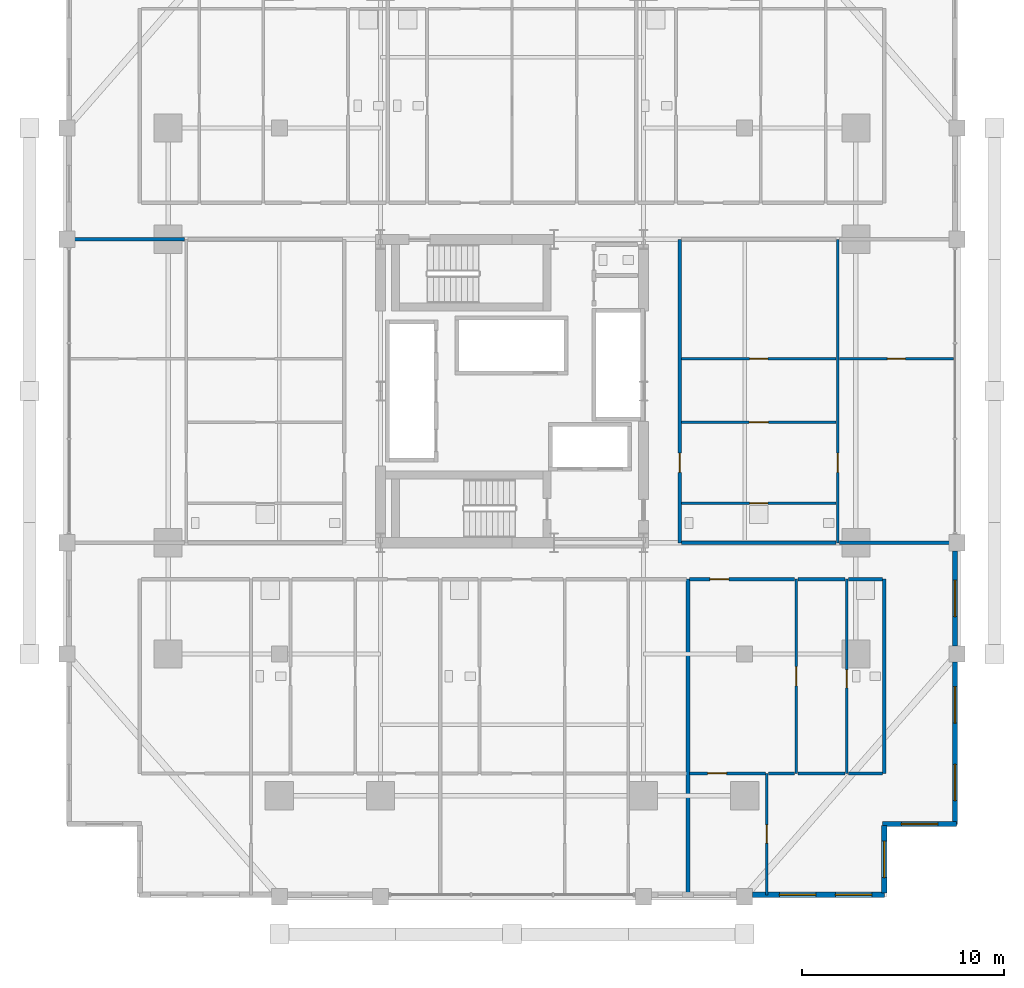
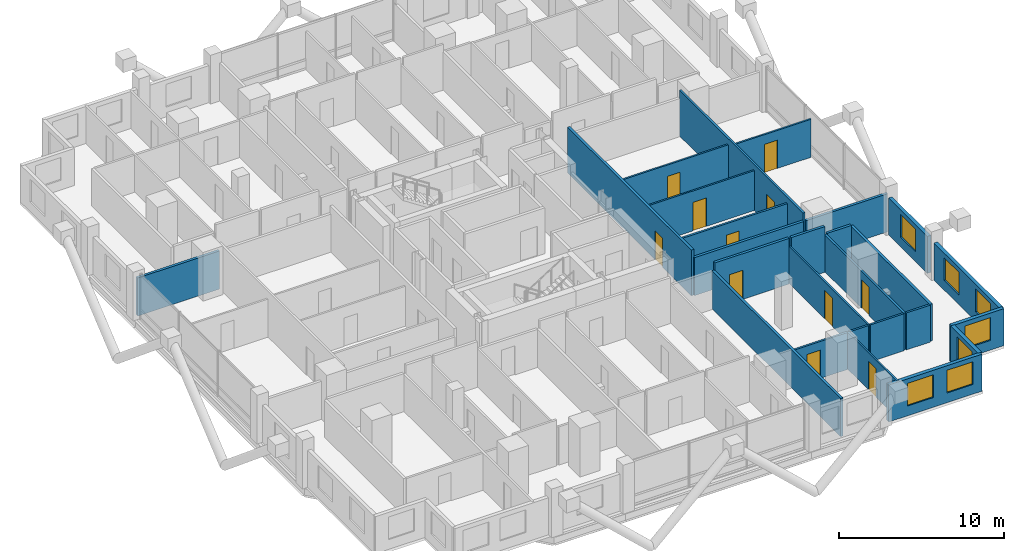
# One storey, part 19 of 24: 26 walls, 11 doors, 7 windows, 18 openings.
"""IFC4 building model written with IfcOpenShell, lengths in metres."""

from ifc_helpers import new_model, si_unit, direction, frame, frame_2d, origin, place, context, subcontext, project, spatial, rectangle, extrude, material, layer, layer_set, type_object, element, fill, save


model = new_model("IFC4")

# Units and contexts
model_context = context("Model", 3, precision=1e-05, world=origin(), true_north=direction((0.0, 1.0)))
body_context = subcontext(model_context, "Body", "Model", "MODEL_VIEW")
ifc_project = project(units=[si_unit("LENGTHUNIT", "METRE"), si_unit("AREAUNIT", "SQUARE_METRE"), si_unit("VOLUMEUNIT", "CUBIC_METRE"), si_unit("PLANEANGLEUNIT", "RADIAN"), si_unit("MASSUNIT", "GRAM", prefix="KILO")], contexts=[model_context])

# Site, building, storey
site_placement = place(None, origin())
site = spatial("IfcSite", under=ifc_project, at=site_placement, CompositionType="ELEMENT")
building_placement = place(site_placement, origin())
building = spatial("IfcBuilding", under=site, at=building_placement, Name="Barlavira Tower and Art Museum", CompositionType="ELEMENT")
storey_placement = place(building_placement, frame((0.0, 0.0, 46.800048828125)))
storey = spatial("IfcBuildingStorey", under=building, at=storey_placement, Name="L10", CompositionType="ELEMENT", Elevation=46.800048828125)

# Wall, opening, door
ifc_material_1 = material(Name="Gypsum acoustic stud partition", Category="gypsum")
ifc_layer_1 = layer(ifc_material_1, 0.1201171875, Name="Gypsum acoustic stud partition")
ifc_layer_set_1 = layer_set([ifc_layer_1], Name="Gypsum acoustic stud partition")
wall_type_1 = type_object("IfcWallType", Name="Apartment Internal Acoustic Partition 120", PredefinedType="PARTITIONING", material=ifc_layer_set_1)
wall_1_placement = place(storey_placement, frame((12.60009765625, -24.89990234375, 0.0), z_axis=(0.0, 0.0, 1.0), x_axis=(0.0, 1.0, 0.0)))
wall_1 = element("IfcWall", 1, at=wall_1_placement, inside=storey, type_object=wall_type_1, Name="L10 Partition Wall 25", PredefinedType="PARTITIONING", context=body_context, shape_type="SweptSolid", body=[
    extrude(rectangle(XDim=6.0, YDim=0.1201171875, at=frame_2d((3.0, 0.0))), origin(), (0.0, 0.0, 1.0), 2.73583984375),
])
opening_1_placement = place(wall_1_placement, frame((2.550048828125, 0.0, 0.0)))
opening_1 = element("IfcOpeningElement", 2, at=opening_1_placement, cuts=wall_1, Name="Opening D-01", PredefinedType="OPENING", context=body_context, shape_type="SweptSolid", body=[
    extrude(rectangle(XDim=0.89990234375, YDim=2.10009765625, at=frame_2d((0.449951171875, 1.050048828125))), frame((0.0, 0.070068359375, 0.0), z_axis=(0.0, -1.0, 0.0), x_axis=(1.0, 0.0, 0.0)), (0.0, 0.0, 1.0), 0.14013671875),
])
ifc_material_2 = material(Name="Engineered coastal hardwood", Category="wood")
door_type_1 = type_object("IfcDoorType", Name="Internal Bedroom Timber Flush Door 900x2100", OperationType="NOTDEFINED", PredefinedType="DOOR", material=ifc_material_2)
door_1_placement = place(opening_1_placement, origin())
door_1 = element("IfcDoor", 3, at=door_1_placement, inside=storey, type_object=door_type_1, Name="Apartment S3 Bedroom 1 Door", OperationType="SINGLE_SWING_LEFT", OverallHeight=2.10009765625, OverallWidth=0.89990234375, PredefinedType="DOOR", context=body_context, shape_type="SweptSolid", body=[
    extrude(rectangle(XDim=0.89990234375, YDim=2.10009765625, at=frame_2d((0.449951171875, 1.050048828125))), frame((0.0, 0.02490234375, 0.0), z_axis=(0.0, -1.0, 0.0), x_axis=(1.0, 0.0, 0.0)), (0.0, 0.0, 1.0), 0.050048828125),
])
fill(opening_1, door_1)

wall_2_placement = place(storey_placement, frame((14.050048828125, -18.89990234375, 0.0), z_axis=(0.0, 0.0, 1.0), x_axis=(0.0, 1.0, 0.0)))
wall_2 = element("IfcWall", 4, at=wall_2_placement, inside=storey, type_object=wall_type_1, Name="L10 Partition Wall 26", PredefinedType="PARTITIONING", context=body_context, shape_type="SweptSolid", body=[
    extrude(rectangle(XDim=9.599853515625, YDim=0.1201171875, at=frame_2d((4.7998046875, 0.0))), origin(), (0.0, 0.0, 1.0), 2.73583984375),
])
opening_2_placement = place(wall_2_placement, frame((4.324951171875, 0.0, 0.0)))
opening_2 = element("IfcOpeningElement", 5, at=opening_2_placement, cuts=wall_2, Name="Opening D-02", PredefinedType="OPENING", context=body_context, shape_type="SweptSolid", body=[
    extrude(rectangle(XDim=0.949951171875, YDim=2.10009765625, at=frame_2d((0.47509765625, 1.050048828125))), frame((0.0, 0.070068359375, 0.0), z_axis=(0.0, -1.0, 0.0), x_axis=(1.0, 0.0, 0.0)), (0.0, 0.0, 1.0), 0.14013671875),
])
door_type_2 = type_object("IfcDoorType", Name="Living and Salon Glazed-Leaf Door 950x2100", OperationType="NOTDEFINED", PredefinedType="DOOR", material=ifc_material_2)
door_2_placement = place(opening_2_placement, origin())
door_2 = element("IfcDoor", 6, at=door_2_placement, inside=storey, type_object=door_type_2, Name="Apartment S3 Kitchen Door", OperationType="SINGLE_SWING_RIGHT", OverallHeight=2.10009765625, OverallWidth=0.949951171875, PredefinedType="DOOR", context=body_context, shape_type="SweptSolid", body=[
    extrude(rectangle(XDim=0.949951171875, YDim=2.10009765625, at=frame_2d((0.47509765625, 1.050048828125))), frame((0.0, 0.02490234375, 0.0), z_axis=(0.0, -1.0, 0.0), x_axis=(1.0, 0.0, 0.0)), (0.0, 0.0, 1.0), 0.050048828125),
])
fill(opening_2, door_2)

wall_3_placement = place(storey_placement, frame((8.3798828125, -1.550048828125, 0.0), z_axis=(0.0, 0.0, 1.0), x_axis=(1.0, 0.0, 0.0)))
wall_3 = element("IfcWall", 7, at=wall_3_placement, inside=storey, type_object=wall_type_1, Name="L10 Partition Wall 62", PredefinedType="PARTITIONING", context=body_context, shape_type="SweptSolid", body=[
    extrude(rectangle(XDim=7.64013671875, YDim=0.1201171875, at=frame_2d((3.820068359375, 0.0))), origin(), (0.0, 0.0, 1.0), 2.947998046875),
])
opening_3_placement = place(wall_3_placement, frame((3.344970703125, 0.0, 0.0)))
opening_3 = element("IfcOpeningElement", 8, at=opening_3_placement, cuts=wall_3, Name="Opening D-02", PredefinedType="OPENING", context=body_context, shape_type="SweptSolid", body=[
    extrude(rectangle(XDim=0.949951171875, YDim=2.10009765625, at=frame_2d((0.47509765625, 1.050048828125))), frame((0.0, 0.070068359375, 0.0), z_axis=(0.0, -1.0, 0.0), x_axis=(1.0, 0.0, 0.0)), (0.0, 0.0, 1.0), 0.14013671875),
])
door_3_placement = place(opening_3_placement, origin())
door_3 = element("IfcDoor", 9, at=door_3_placement, inside=storey, type_object=door_type_2, Name="Apartment E1 Kitchen Door", OperationType="SINGLE_SWING_LEFT", OverallHeight=2.10009765625, OverallWidth=0.949951171875, PredefinedType="DOOR", context=body_context, shape_type="SweptSolid", body=[
    extrude(rectangle(XDim=0.949951171875, YDim=2.10009765625, at=frame_2d((0.47509765625, 1.050048828125))), frame((0.0, 0.02490234375, 0.0), z_axis=(0.0, -1.0, 0.0), x_axis=(1.0, 0.0, 0.0)), (0.0, 0.0, 1.0), 0.050048828125),
])
fill(opening_3, door_3)

wall_4_placement = place(storey_placement, frame((8.3798828125, 1.60009765625, 0.0), z_axis=(0.0, 0.0, 1.0), x_axis=(1.0, 0.0, 0.0)))
wall_4 = element("IfcWall", 10, at=wall_4_placement, inside=storey, type_object=wall_type_1, Name="L10 Partition Wall 65", PredefinedType="PARTITIONING", context=body_context, shape_type="SweptSolid", body=[
    extrude(rectangle(XDim=7.64013671875, YDim=0.1201171875, at=frame_2d((3.820068359375, 0.0))), origin(), (0.0, 0.0, 1.0), 2.947998046875),
])
opening_4_placement = place(wall_4_placement, frame((3.3701171875, 0.0, 0.0)))
opening_4 = element("IfcOpeningElement", 11, at=opening_4_placement, cuts=wall_4, Name="Opening D-01", PredefinedType="OPENING", context=body_context, shape_type="SweptSolid", body=[
    extrude(rectangle(XDim=0.89990234375, YDim=2.10009765625, at=frame_2d((0.449951171875, 1.050048828125))), frame((0.0, 0.070068359375, 0.0), z_axis=(0.0, -1.0, 0.0), x_axis=(1.0, 0.0, 0.0)), (0.0, 0.0, 1.0), 0.14013671875),
])
door_4_placement = place(opening_4_placement, origin())
door_4 = element("IfcDoor", 12, at=door_4_placement, inside=storey, type_object=door_type_1, Name="Apartment E1 Walk-In Dressing Room Door", OperationType="SINGLE_SWING_RIGHT", OverallHeight=2.10009765625, OverallWidth=0.89990234375, PredefinedType="DOOR", context=body_context, shape_type="SweptSolid", body=[
    extrude(rectangle(XDim=0.89990234375, YDim=2.10009765625, at=frame_2d((0.449951171875, 1.050048828125))), frame((0.0, 0.02490234375, 0.0), z_axis=(0.0, -1.0, 0.0), x_axis=(1.0, 0.0, 0.0)), (0.0, 0.0, 1.0), 0.050048828125),
])
fill(opening_4, door_4)

wall_5_placement = place(storey_placement, frame((16.179931640625, 1.60009765625, 0.0), z_axis=(0.0, 0.0, 1.0), x_axis=(1.0, 0.0, 0.0)))
wall_5 = element("IfcWall", 13, at=wall_5_placement, inside=storey, type_object=wall_type_1, Name="L10 Partition Wall 66", PredefinedType="PARTITIONING", context=body_context, shape_type="SweptSolid", body=[
    extrude(rectangle(XDim=5.64013671875, YDim=0.1201171875, at=frame_2d((2.820068359375, 0.0))), origin(), (0.0, 0.0, 1.0), 2.81591796875),
])
opening_5_placement = place(wall_5_placement, frame((2.3701171875, 0.0, 0.0)))
opening_5 = element("IfcOpeningElement", 14, at=opening_5_placement, cuts=wall_5, Name="Opening D-01", PredefinedType="OPENING", context=body_context, shape_type="SweptSolid", body=[
    extrude(rectangle(XDim=0.89990234375, YDim=2.10009765625, at=frame_2d((0.449951171875, 1.050048828125))), frame((0.0, 0.070068359375, 0.0), z_axis=(0.0, -1.0, 0.0), x_axis=(1.0, 0.0, 0.0)), (0.0, 0.0, 1.0), 0.14013671875),
])
door_5_placement = place(opening_5_placement, origin())
door_5 = element("IfcDoor", 15, at=door_5_placement, inside=storey, type_object=door_type_1, Name="Apartment E1 Bedroom 1 Door", OperationType="SINGLE_SWING_RIGHT", OverallHeight=2.10009765625, OverallWidth=0.89990234375, PredefinedType="DOOR", context=body_context, shape_type="SweptSolid", body=[
    extrude(rectangle(XDim=0.89990234375, YDim=2.10009765625, at=frame_2d((0.449951171875, 1.050048828125))), frame((0.0, 0.02490234375, 0.0), z_axis=(0.0, -1.0, 0.0), x_axis=(1.0, 0.0, 0.0)), (0.0, 0.0, 1.0), 0.050048828125),
])
fill(opening_5, door_5)

ifc_layer_2 = layer(ifc_material_1, 0.179931640625, Name="Gypsum acoustic stud partition")
ifc_layer_set_2 = layer_set([ifc_layer_2], Name="Gypsum acoustic stud partition")
wall_type_2 = type_object("IfcWallType", Name="Inter-Tenancy Party Partition Wall 180", PredefinedType="PARTITIONING", material=ifc_layer_set_2)
wall_6_placement = place(storey_placement, frame((8.300048828125, -7.5, 0.0), z_axis=(0.0, 0.0, 1.0), x_axis=(0.0, 1.0, 0.0)))
wall_6 = element("IfcWall", 16, at=wall_6_placement, inside=storey, type_object=wall_type_2, Name="L10 Partition Wall 22", PredefinedType="PARTITIONING", context=body_context, shape_type="SweptSolid", body=[
    extrude(rectangle(XDim=15.0, YDim=0.179931640625, at=frame_2d((7.5, 0.0))), origin(), (0.0, 0.0, 1.0), 3.3798828125),
])
opening_6_placement = place(wall_6_placement, frame((3.47509765625, 0.0, 0.0)))
opening_6 = element("IfcOpeningElement", 17, at=opening_6_placement, cuts=wall_6, Name="Opening FD-60", PredefinedType="OPENING", context=body_context, shape_type="SweptSolid", body=[
    extrude(rectangle(XDim=0.949951171875, YDim=2.14990234375, at=frame_2d((0.47509765625, 1.074951171875))), frame((0.0, 0.10009765625, 0.0), z_axis=(0.0, -1.0, 0.0), x_axis=(1.0, 0.0, 0.0)), (0.0, 0.0, 1.0), 0.199951171875),
])
ifc_material_3 = material(Name="Brushed stainless steel", Category="steel")
door_type_3 = type_object("IfcDoorType", Name="Apartment Entrance and Riser Fire Door 950x2150 FD60S", OperationType="NOTDEFINED", PredefinedType="DOOR", material=ifc_material_3)
door_6_placement = place(opening_6_placement, origin())
door_6 = element("IfcDoor", 18, at=door_6_placement, inside=storey, type_object=door_type_3, Name="Apartment Entrance Hall E1 Door", OperationType="SINGLE_SWING_RIGHT", OverallHeight=2.14990234375, OverallWidth=0.949951171875, PredefinedType="DOOR", context=body_context, shape_type="SweptSolid", body=[
    extrude(rectangle(XDim=0.949951171875, YDim=2.14990234375, at=frame_2d((0.47509765625, 1.074951171875))), frame((0.0, 0.02490234375, 0.0), z_axis=(0.0, -1.0, 0.0), x_axis=(1.0, 0.0, 0.0)), (0.0, 0.0, 1.0), 0.050048828125),
])
fill(opening_6, door_6)

# Walls
wall_7_placement = place(storey_placement, frame((8.699951171875, -24.89990234375, 0.0), z_axis=(0.0, 0.0, 1.0), x_axis=(0.0, 1.0, 0.0)))
element("IfcWall", 19, at=wall_7_placement, inside=storey, type_object=wall_type_2, Name="L10 Partition Wall 23", PredefinedType="PARTITIONING", context=body_context, shape_type="SweptSolid", body=[
    extrude(rectangle(XDim=15.599853515625, YDim=0.179931640625, at=frame_2d((7.7998046875, 0.0))), origin(), (0.0, 0.0, 1.0), 2.81591796875),
])
wall_8_placement = place(storey_placement, frame((18.39990234375, -18.89990234375, 0.0), z_axis=(0.0, 0.0, 1.0), x_axis=(0.0, 1.0, 0.0)))
element("IfcWall", 20, at=wall_8_placement, inside=storey, type_object=wall_type_2, Name="L10 Partition Wall 30", PredefinedType="PARTITIONING", context=body_context, shape_type="SweptSolid", body=[
    extrude(rectangle(XDim=9.599853515625, YDim=0.179931640625, at=frame_2d((4.7998046875, 0.0))), origin(), (0.0, 0.0, 1.0), 2.73583984375),
])

# Wall, opening, door
wall_9_placement = place(storey_placement, frame((8.780029296875, -9.300048828125, 0.0), z_axis=(0.0, 0.0, 1.0), x_axis=(1.0, 0.0, 0.0)))
wall_9 = element("IfcWall", 21, at=wall_9_placement, inside=storey, type_object=wall_type_2, Name="L10 Partition Wall 52", PredefinedType="PARTITIONING", context=body_context, shape_type="SweptSolid", body=[
    extrude(rectangle(XDim=5.18994140625, YDim=0.179931640625, at=frame_2d((2.594970703125, 0.0))), origin(), (0.0, 0.0, 1.0), 3.3798828125),
])
opening_7_placement = place(wall_9_placement, frame((0.9951171875, 0.0, 0.0)))
opening_7 = element("IfcOpeningElement", 22, at=opening_7_placement, cuts=wall_9, Name="Opening FD-60", PredefinedType="OPENING", context=body_context, shape_type="SweptSolid", body=[
    extrude(rectangle(XDim=0.949951171875, YDim=2.14990234375, at=frame_2d((0.47509765625, 1.074951171875))), frame((0.0, 0.10009765625, 0.0), z_axis=(0.0, -1.0, 0.0), x_axis=(1.0, 0.0, 0.0)), (0.0, 0.0, 1.0), 0.199951171875),
])
door_7_placement = place(opening_7_placement, origin())
door_7 = element("IfcDoor", 23, at=door_7_placement, inside=storey, type_object=door_type_3, Name="Apartment Entrance Hall S3 Door", OperationType="SINGLE_SWING_LEFT", OverallHeight=2.14990234375, OverallWidth=0.949951171875, PredefinedType="DOOR", context=body_context, shape_type="SweptSolid", body=[
    extrude(rectangle(XDim=0.949951171875, YDim=2.14990234375, at=frame_2d((0.47509765625, 1.074951171875))), frame((0.0, 0.02490234375, 0.0), z_axis=(0.0, -1.0, 0.0), x_axis=(1.0, 0.0, 0.0)), (0.0, 0.0, 1.0), 0.050048828125),
])
fill(opening_7, door_7)

# Walls
wall_10_placement = place(storey_placement, frame((14.1298828125, -9.300048828125, 0.0), z_axis=(0.0, 0.0, 1.0), x_axis=(1.0, 0.0, 0.0)))
element("IfcWall", 24, at=wall_10_placement, inside=storey, type_object=wall_type_2, Name="L10 Partition Wall 53", PredefinedType="PARTITIONING", context=body_context, shape_type="SweptSolid", body=[
    extrude(rectangle(XDim=2.340087890625, YDim=0.179931640625, at=frame_2d((1.169921875, 0.0))), origin(), (0.0, 0.0, 1.0), 3.3798828125),
])
wall_11_placement = place(storey_placement, frame((16.6298828125, -9.300048828125, 0.0), z_axis=(0.0, 0.0, 1.0), x_axis=(1.0, 0.0, 0.0)))
element("IfcWall", 25, at=wall_11_placement, inside=storey, type_object=wall_type_2, Name="L10 Partition Wall 54", PredefinedType="PARTITIONING", context=body_context, shape_type="SweptSolid", body=[
    extrude(rectangle(XDim=1.690185546875, YDim=0.179931640625, at=frame_2d((0.84521484375, 0.0))), origin(), (0.0, 0.0, 1.0), 2.81591796875),
])
wall_12_placement = place(storey_placement, frame((8.3798828125, -7.5, 0.0), z_axis=(0.0, 0.0, 1.0), x_axis=(1.0, 0.0, 0.0)))
element("IfcWall", 26, at=wall_12_placement, inside=storey, type_object=wall_type_2, Name="L10 Partition Wall 57", PredefinedType="PARTITIONING", context=body_context, shape_type="SweptSolid", body=[
    extrude(rectangle(XDim=7.64013671875, YDim=0.179931640625, at=frame_2d((3.820068359375, 0.0))), origin(), (0.0, 0.0, 1.0), 2.81591796875),
])
for number, where, z_axis, x_axis, name in (
    (27, (16.179931640625, -7.5, 0.0), (0.0, 0.0, 1.0), (1.0, 0.0, 0.0), "L10 Partition Wall 58"),
    (28, (-21.89990234375, 7.5, 0.0), (0.0, 0.0, 1.0), (1.0, 0.0, 0.0), "L10 Partition Wall 69"),
):
    element("IfcWall", number, at=place(storey_placement, frame(where, z_axis=z_axis, x_axis=x_axis)), inside=storey, type_object=wall_type_2, Name=name, PredefinedType="PARTITIONING", context=body_context, shape_type="SweptSolid", body=[
        extrude(rectangle(XDim=5.719970703125, YDim=0.179931640625, at=frame_2d((2.85986328125, 0.0))), origin(), (0.0, 0.0, 1.0), 2.81591796875),
    ])

# Wall, opening, door
ifc_layer_3 = layer(ifc_material_1, 0.139892578125, Name="Gypsum acoustic stud partition")
ifc_layer_set_3 = layer_set([ifc_layer_3], Name="Gypsum acoustic stud partition")
wall_type_3 = type_object("IfcWallType", Name="Moisture-Resistant Bathroom Partition 140", PredefinedType="PARTITIONING", material=ifc_layer_set_3)
wall_13_placement = place(storey_placement, frame((16.10009765625, -7.5, 0.0), z_axis=(0.0, 0.0, 1.0), x_axis=(0.0, 1.0, 0.0)))
wall_13 = element("IfcWall", 29, at=wall_13_placement, inside=storey, type_object=wall_type_3, Name="L10 Partition Wall 28", PredefinedType="PARTITIONING", context=body_context, shape_type="SweptSolid", body=[
    extrude(rectangle(XDim=15.0, YDim=0.139892578125, at=frame_2d((7.5, 0.0))), origin(), (0.0, 0.0, 1.0), 3.3798828125),
])
opening_8_placement = place(wall_13_placement, frame((3.47509765625, 0.0, 0.0)))
opening_8 = element("IfcOpeningElement", 30, at=opening_8_placement, cuts=wall_13, Name="Opening D-02", PredefinedType="OPENING", context=body_context, shape_type="SweptSolid", body=[
    extrude(rectangle(XDim=0.949951171875, YDim=2.10009765625, at=frame_2d((0.47509765625, 1.050048828125))), frame((0.0, 0.080078125, 0.0), z_axis=(0.0, -1.0, 0.0), x_axis=(1.0, 0.0, 0.0)), (0.0, 0.0, 1.0), 0.159912109375),
])
door_8_placement = place(opening_8_placement, origin())
door_8 = element("IfcDoor", 31, at=door_8_placement, inside=storey, type_object=door_type_2, Name="Apartment E1 Living Lounge Door", OperationType="SINGLE_SWING_LEFT", OverallHeight=2.10009765625, OverallWidth=0.949951171875, PredefinedType="DOOR", context=body_context, shape_type="SweptSolid", body=[
    extrude(rectangle(XDim=0.949951171875, YDim=2.10009765625, at=frame_2d((0.47509765625, 1.050048828125))), frame((0.0, 0.02490234375, 0.0), z_axis=(0.0, -1.0, 0.0), x_axis=(1.0, 0.0, 0.0)), (0.0, 0.0, 1.0), 0.050048828125),
])
fill(opening_8, door_8)

wall_14_placement = place(storey_placement, frame((16.550048828125, -18.89990234375, 0.0), z_axis=(0.0, 0.0, 1.0), x_axis=(0.0, 1.0, 0.0)))
wall_14 = element("IfcWall", 32, at=wall_14_placement, inside=storey, type_object=wall_type_3, Name="L10 Partition Wall 29", PredefinedType="PARTITIONING", context=body_context, shape_type="SweptSolid", body=[
    extrude(rectangle(XDim=9.599853515625, YDim=0.139892578125, at=frame_2d((4.7998046875, 0.0))), origin(), (0.0, 0.0, 1.0), 2.73583984375),
])
opening_9_placement = place(wall_14_placement, frame((4.2216796875, 0.0, 0.0)))
opening_9 = element("IfcOpeningElement", 33, at=opening_9_placement, cuts=wall_14, Name="Opening D-WC", PredefinedType="OPENING", context=body_context, shape_type="SweptSolid", body=[
    extrude(rectangle(XDim=0.89990234375, YDim=2.10009765625, at=frame_2d((0.449951171875, 1.050048828125))), frame((0.0, 0.080078125, 0.0), z_axis=(0.0, -1.0, 0.0), x_axis=(1.0, 0.0, 0.0)), (0.0, 0.0, 1.0), 0.159912109375),
])
door_type_4 = type_object("IfcDoorType", Name="Accessible Bathroom Flush Door 900x2100", OperationType="NOTDEFINED", PredefinedType="DOOR", material=ifc_material_2)
door_9_placement = place(opening_9_placement, origin())
door_9 = element("IfcDoor", 34, at=door_9_placement, inside=storey, type_object=door_type_4, Name="Apartment S3 Hall Bathroom Door", OperationType="SINGLE_SWING_LEFT", OverallHeight=2.10009765625, OverallWidth=0.89990234375, PredefinedType="DOOR", context=body_context, shape_type="SweptSolid", body=[
    extrude(rectangle(XDim=0.89990234375, YDim=2.10009765625, at=frame_2d((0.449951171875, 1.050048828125))), frame((0.0, 0.02490234375, 0.0), z_axis=(0.0, -1.0, 0.0), x_axis=(1.0, 0.0, 0.0)), (0.0, 0.0, 1.0), 0.050048828125),
])
fill(opening_9, door_9)

wall_15_placement = place(storey_placement, frame((8.780029296875, -18.89990234375, 0.0), z_axis=(0.0, 0.0, 1.0), x_axis=(1.0, 0.0, 0.0)))
wall_15 = element("IfcWall", 35, at=wall_15_placement, inside=storey, type_object=wall_type_3, Name="L10 Partition Wall 40", PredefinedType="PARTITIONING", context=body_context, shape_type="SweptSolid", body=[
    extrude(rectangle(XDim=3.739990234375, YDim=0.139892578125, at=frame_2d((1.8701171875, 0.0))), origin(), (0.0, 0.0, 1.0), 2.73583984375),
])
opening_10_placement = place(wall_15_placement, frame((0.885009765625, 0.0, 0.0)))
opening_10 = element("IfcOpeningElement", 36, at=opening_10_placement, cuts=wall_15, Name="Opening D-02", PredefinedType="OPENING", context=body_context, shape_type="SweptSolid", body=[
    extrude(rectangle(XDim=0.949951171875, YDim=2.10009765625, at=frame_2d((0.47509765625, 1.050048828125))), frame((0.0, 0.080078125, 0.0), z_axis=(0.0, -1.0, 0.0), x_axis=(1.0, 0.0, 0.0)), (0.0, 0.0, 1.0), 0.159912109375),
])
door_10_placement = place(opening_10_placement, origin())
door_10 = element("IfcDoor", 37, at=door_10_placement, inside=storey, type_object=door_type_2, Name="Apartment S3 Living Lounge Door", OperationType="SINGLE_SWING_RIGHT", OverallHeight=2.10009765625, OverallWidth=0.949951171875, PredefinedType="DOOR", context=body_context, shape_type="SweptSolid", body=[
    extrude(rectangle(XDim=0.949951171875, YDim=2.10009765625, at=frame_2d((0.47509765625, 1.050048828125))), frame((0.0, 0.02490234375, 0.0), z_axis=(0.0, -1.0, 0.0), x_axis=(1.0, 0.0, 0.0)), (0.0, 0.0, 1.0), 0.050048828125),
])
fill(opening_10, door_10)

# Walls
wall_16_placement = place(storey_placement, frame((12.679931640625, -18.89990234375, 0.0), z_axis=(0.0, 0.0, 1.0), x_axis=(1.0, 0.0, 0.0)))
element("IfcWall", 38, at=wall_16_placement, inside=storey, type_object=wall_type_3, Name="L10 Partition Wall 41", PredefinedType="PARTITIONING", context=body_context, shape_type="SweptSolid", body=[
    extrude(rectangle(XDim=1.2900390625, YDim=0.139892578125, at=frame_2d((0.64501953125, 0.0))), origin(), (0.0, 0.0, 1.0), 2.73583984375),
])
wall_17_placement = place(storey_placement, frame((14.1298828125, -18.89990234375, 0.0), z_axis=(0.0, 0.0, 1.0), x_axis=(1.0, 0.0, 0.0)))
element("IfcWall", 39, at=wall_17_placement, inside=storey, type_object=wall_type_3, Name="L10 Partition Wall 42", PredefinedType="PARTITIONING", context=body_context, shape_type="SweptSolid", body=[
    extrude(rectangle(XDim=2.340087890625, YDim=0.139892578125, at=frame_2d((1.169921875, 0.0))), origin(), (0.0, 0.0, 1.0), 2.73583984375),
])
wall_18_placement = place(storey_placement, frame((16.6298828125, -18.89990234375, 0.0), z_axis=(0.0, 0.0, 1.0), x_axis=(1.0, 0.0, 0.0)))
element("IfcWall", 40, at=wall_18_placement, inside=storey, type_object=wall_type_3, Name="L10 Partition Wall 43", PredefinedType="PARTITIONING", context=body_context, shape_type="SweptSolid", body=[
    extrude(rectangle(XDim=1.690185546875, YDim=0.139892578125, at=frame_2d((0.84521484375, 0.0))), origin(), (0.0, 0.0, 1.0), 2.73583984375),
])

# Wall, opening, door
wall_19_placement = place(storey_placement, frame((8.3798828125, -5.550048828125, 0.0), z_axis=(0.0, 0.0, 1.0), x_axis=(1.0, 0.0, 0.0)))
wall_19 = element("IfcWall", 41, at=wall_19_placement, inside=storey, type_object=wall_type_3, Name="L10 Partition Wall 60", PredefinedType="PARTITIONING", context=body_context, shape_type="SweptSolid", body=[
    extrude(rectangle(XDim=7.64013671875, YDim=0.139892578125, at=frame_2d((3.820068359375, 0.0))), origin(), (0.0, 0.0, 1.0), 2.947998046875),
])
opening_11_placement = place(wall_19_placement, frame((3.3701171875, 0.0, 0.0)))
opening_11 = element("IfcOpeningElement", 42, at=opening_11_placement, cuts=wall_19, Name="Opening D-WC", PredefinedType="OPENING", context=body_context, shape_type="SweptSolid", body=[
    extrude(rectangle(XDim=0.89990234375, YDim=2.10009765625, at=frame_2d((0.449951171875, 1.050048828125))), frame((0.0, 0.080078125, 0.0), z_axis=(0.0, -1.0, 0.0), x_axis=(1.0, 0.0, 0.0)), (0.0, 0.0, 1.0), 0.159912109375),
])
door_11_placement = place(opening_11_placement, origin())
door_11 = element("IfcDoor", 43, at=door_11_placement, inside=storey, type_object=door_type_4, Name="Apartment E1 Hall Bathroom Door", OperationType="SINGLE_SWING_LEFT", OverallHeight=2.10009765625, OverallWidth=0.89990234375, PredefinedType="DOOR", context=body_context, shape_type="SweptSolid", body=[
    extrude(rectangle(XDim=0.89990234375, YDim=2.10009765625, at=frame_2d((0.449951171875, 1.050048828125))), frame((0.0, 0.02490234375, 0.0), z_axis=(0.0, -1.0, 0.0), x_axis=(1.0, 0.0, 0.0)), (0.0, 0.0, 1.0), 0.050048828125),
])
fill(opening_11, door_11)

# Wall, openings, windows
ifc_material_4 = material(Name="Precast concrete C40", Category="concrete")
ifc_layer_4 = layer(ifc_material_4, 0.25, Name="Precast concrete C40")
ifc_layer_set_4 = layer_set([ifc_layer_4], Name="Precast concrete C40")
wall_type_4 = type_object("IfcWallType", Name="Notched Corner Spandrel Wall 250 Precast Concrete C40", PredefinedType="SOLIDWALL", material=ifc_layer_set_4)
wall_20_placement = place(storey_placement, frame((11.89501953125, -24.89990234375, 0.0), z_axis=(0.0, 0.0, 1.0), x_axis=(1.0, 0.0, 0.0)))
wall_20 = element("IfcWall", 44, at=wall_20_placement, inside=storey, type_object=wall_type_4, Name="L10 Coastal Facade Pier Wall CW1-L10-S-5", PredefinedType="SOLIDWALL", context=body_context, shape_type="SweptSolid", body=[
    extrude(rectangle(XDim=6.530029296875, YDim=0.25, at=frame_2d((3.26513671875, 0.0))), origin(), (0.0, 0.0, 1.0), 2.73583984375),
])
opening_12_placement = place(wall_20_placement, frame((1.325927734375, 0.0, 0.719970703125)))
opening_12 = element("IfcOpeningElement", 45, at=opening_12_placement, cuts=wall_20, Name="Opening WN-01", PredefinedType="OPENING", context=body_context, shape_type="SweptSolid", body=[
    extrude(rectangle(XDim=1.800048828125, YDim=1.679931640625, at=frame_2d((0.89990234375, 0.83984375))), frame((0.0, 0.135009765625, 0.0), z_axis=(0.0, -1.0, 0.0), x_axis=(1.0, 0.0, 0.0)), (0.0, 0.0, 1.0), 0.27001953125),
])
opening_13_placement = place(wall_20_placement, frame((4.089111328125, 0.0, 0.719970703125)))
opening_13 = element("IfcOpeningElement", 46, at=opening_13_placement, cuts=wall_20, Name="Opening WN-01", PredefinedType="OPENING", context=body_context, shape_type="SweptSolid", body=[
    extrude(rectangle(XDim=1.800048828125, YDim=1.679931640625, at=frame_2d((0.89990234375, 0.83984375))), frame((0.0, 0.135009765625, 0.0), z_axis=(0.0, -1.0, 0.0), x_axis=(1.0, 0.0, 0.0)), (0.0, 0.0, 1.0), 0.27001953125),
])
ifc_material_5 = material(Name="Low-iron coastal laminated glass", Category="glass")
window_type = type_object("IfcWindowType", Name="Recessed Notch Corner Punch Window 1800x1680", PartitioningType="SINGLE_PANEL", PredefinedType="WINDOW", material=ifc_material_5)
window_1_placement = place(opening_12_placement, origin())
window_1 = element("IfcWindow", 47, at=window_1_placement, inside=storey, type_object=window_type, Name="L10 Punched Facade Window EWP-CW1-L10-S-5-1", OverallHeight=1.679931640625, OverallWidth=1.800048828125, PartitioningType="SINGLE_PANEL", PredefinedType="WINDOW", context=body_context, shape_type="SweptSolid", body=[
    extrude(rectangle(XDim=1.800048828125, YDim=1.679931640625, at=frame_2d((0.89990234375, 0.83984375))), frame((0.0, 0.030029296875, 0.0), z_axis=(0.0, -1.0, 0.0), x_axis=(1.0, 0.0, 0.0)), (0.0, 0.0, 1.0), 0.06005859375),
])
fill(opening_12, window_1)
window_2_placement = place(opening_13_placement, origin())
window_2 = element("IfcWindow", 48, at=window_2_placement, inside=storey, type_object=window_type, Name="L10 Punched Facade Window EWP-CW1-L10-S-5-2", OverallHeight=1.679931640625, OverallWidth=1.800048828125, PartitioningType="SINGLE_PANEL", PredefinedType="WINDOW", context=body_context, shape_type="SweptSolid", body=[
    extrude(rectangle(XDim=1.800048828125, YDim=1.679931640625, at=frame_2d((0.89990234375, 0.83984375))), frame((0.0, 0.030029296875, 0.0), z_axis=(0.0, -1.0, 0.0), x_axis=(1.0, 0.0, 0.0)), (0.0, 0.0, 1.0), 0.06005859375),
])
fill(opening_13, window_2)

wall_21_placement = place(storey_placement, frame((21.89990234375, -21.425048828125, 0.0), z_axis=(0.0, 0.0, 1.0), x_axis=(0.0, 1.0, 0.0)))
wall_21 = element("IfcWall", 49, at=wall_21_placement, inside=storey, type_object=wall_type_4, Name="L10 Coastal Facade Pier Wall CW1-L10-E-1", PredefinedType="SOLIDWALL", context=body_context, shape_type="SweptSolid", body=[
    extrude(rectangle(XDim=8.030029296875, YDim=0.25, at=frame_2d((4.01513671875, 0.0))), origin(), (0.0, 0.0, 1.0), 2.73583984375),
])
opening_14_placement = place(wall_21_placement, frame((1.176025390625, 0.0, 0.719970703125)))
opening_14 = element("IfcOpeningElement", 50, at=opening_14_placement, cuts=wall_21, Name="Opening WN-01", PredefinedType="OPENING", context=body_context, shape_type="SweptSolid", body=[
    extrude(rectangle(XDim=1.800048828125, YDim=1.679931640625, at=frame_2d((0.89990234375, 0.83984375))), frame((0.0, 0.135009765625, 0.0), z_axis=(0.0, -1.0, 0.0), x_axis=(1.0, 0.0, 0.0)), (0.0, 0.0, 1.0), 0.27001953125),
])
opening_15_placement = place(wall_21_placement, frame((5.009033203125, 0.0, 0.719970703125)))
opening_15 = element("IfcOpeningElement", 51, at=opening_15_placement, cuts=wall_21, Name="Opening WN-01", PredefinedType="OPENING", context=body_context, shape_type="SweptSolid", body=[
    extrude(rectangle(XDim=1.800048828125, YDim=1.679931640625, at=frame_2d((0.89990234375, 0.83984375))), frame((0.0, 0.135009765625, 0.0), z_axis=(0.0, -1.0, 0.0), x_axis=(1.0, 0.0, 0.0)), (0.0, 0.0, 1.0), 0.27001953125),
])
window_3_placement = place(opening_14_placement, origin())
window_3 = element("IfcWindow", 52, at=window_3_placement, inside=storey, type_object=window_type, Name="L10 Punched Facade Window EWP-CW1-L10-E-1-1", OverallHeight=1.679931640625, OverallWidth=1.800048828125, PartitioningType="SINGLE_PANEL", PredefinedType="WINDOW", context=body_context, shape_type="SweptSolid", body=[
    extrude(rectangle(XDim=1.800048828125, YDim=1.679931640625, at=frame_2d((0.89990234375, 0.83984375))), frame((0.0, 0.030029296875, 0.0), z_axis=(0.0, -1.0, 0.0), x_axis=(1.0, 0.0, 0.0)), (0.0, 0.0, 1.0), 0.06005859375),
])
fill(opening_14, window_3)
window_4_placement = place(opening_15_placement, origin())
window_4 = element("IfcWindow", 53, at=window_4_placement, inside=storey, type_object=window_type, Name="L10 Punched Facade Window EWP-CW1-L10-E-1-2", OverallHeight=1.679931640625, OverallWidth=1.800048828125, PartitioningType="SINGLE_PANEL", PredefinedType="WINDOW", context=body_context, shape_type="SweptSolid", body=[
    extrude(rectangle(XDim=1.800048828125, YDim=1.679931640625, at=frame_2d((0.89990234375, 0.83984375))), frame((0.0, 0.030029296875, 0.0), z_axis=(0.0, -1.0, 0.0), x_axis=(1.0, 0.0, 0.0)), (0.0, 0.0, 1.0), 0.06005859375),
])
fill(opening_15, window_4)

# Wall, opening, window
wall_22_placement = place(storey_placement, frame((21.89990234375, -12.60498046875, 0.0), z_axis=(0.0, 0.0, 1.0), x_axis=(0.0, 1.0, 0.0)))
wall_22 = element("IfcWall", 54, at=wall_22_placement, inside=storey, type_object=wall_type_4, Name="L10 Coastal Facade Pier Wall CW1-L10-E-2", PredefinedType="SOLIDWALL", context=body_context, shape_type="SweptSolid", body=[
    extrude(rectangle(XDim=4.7099609375, YDim=0.25, at=frame_2d((2.35498046875, 0.0))), origin(), (0.0, 0.0, 1.0), 2.73583984375),
])
opening_16_placement = place(wall_22_placement, frame((1.455078125, 0.0, 0.719970703125)))
opening_16 = element("IfcOpeningElement", 55, at=opening_16_placement, cuts=wall_22, Name="Opening WN-01", PredefinedType="OPENING", context=body_context, shape_type="SweptSolid", body=[
    extrude(rectangle(XDim=1.800048828125, YDim=1.679931640625, at=frame_2d((0.89990234375, 0.83984375))), frame((0.0, 0.135009765625, 0.0), z_axis=(0.0, -1.0, 0.0), x_axis=(1.0, 0.0, 0.0)), (0.0, 0.0, 1.0), 0.27001953125),
])
window_5_placement = place(opening_16_placement, origin())
window_5 = element("IfcWindow", 56, at=window_5_placement, inside=storey, type_object=window_type, Name="L10 Punched Facade Window EWP-CW1-L10-E-2-1", OverallHeight=1.679931640625, OverallWidth=1.800048828125, PartitioningType="SINGLE_PANEL", PredefinedType="WINDOW", context=body_context, shape_type="SweptSolid", body=[
    extrude(rectangle(XDim=1.800048828125, YDim=1.679931640625, at=frame_2d((0.89990234375, 0.83984375))), frame((0.0, 0.030029296875, 0.0), z_axis=(0.0, -1.0, 0.0), x_axis=(1.0, 0.0, 0.0)), (0.0, 0.0, 1.0), 0.06005859375),
])
fill(opening_16, window_5)

wall_23_placement = place(storey_placement, frame((18.39990234375, -24.820068359375, 0.0), z_axis=(0.0, 0.0, 1.0), x_axis=(0.0, 1.0, 0.0)))
wall_23 = element("IfcWall", 57, at=wall_23_placement, inside=storey, type_object=wall_type_4, Name="L10 Notch Corner Wall SE1", PredefinedType="SOLIDWALL", context=body_context, shape_type="SweptSolid", body=[
    extrude(rectangle(XDim=3.340087890625, YDim=0.25, at=frame_2d((1.669921875, 0.0))), origin(), (0.0, 0.0, 1.0), 2.73583984375),
])
opening_17_placement = place(wall_23_placement, frame((0.77001953125, 0.0, 0.719970703125)))
opening_17 = element("IfcOpeningElement", 58, at=opening_17_placement, cuts=wall_23, Name="Opening WN-01", PredefinedType="OPENING", context=body_context, shape_type="SweptSolid", body=[
    extrude(rectangle(XDim=1.800048828125, YDim=1.679931640625, at=frame_2d((0.89990234375, 0.83984375))), frame((0.0, 0.135009765625, 0.0), z_axis=(0.0, -1.0, 0.0), x_axis=(1.0, 0.0, 0.0)), (0.0, 0.0, 1.0), 0.27001953125),
])
window_6_placement = place(opening_17_placement, origin())
window_6 = element("IfcWindow", 59, at=window_6_placement, inside=storey, type_object=window_type, Name="L10 Punched Facade Window EW-NTC-L10-SE1-1", OverallHeight=1.679931640625, OverallWidth=1.800048828125, PartitioningType="SINGLE_PANEL", PredefinedType="WINDOW", context=body_context, shape_type="SweptSolid", body=[
    extrude(rectangle(XDim=1.800048828125, YDim=1.679931640625, at=frame_2d((0.89990234375, 0.83984375))), frame((0.0, 0.030029296875, 0.0), z_axis=(0.0, -1.0, 0.0), x_axis=(1.0, 0.0, 0.0)), (0.0, 0.0, 1.0), 0.06005859375),
])
fill(opening_17, window_6)

wall_24_placement = place(storey_placement, frame((18.320068359375, -21.39990234375, 0.0), z_axis=(0.0, 0.0, 1.0), x_axis=(1.0, 0.0, 0.0)))
wall_24 = element("IfcWall", 60, at=wall_24_placement, inside=storey, type_object=wall_type_4, Name="L10 Notch Corner Wall SE2", PredefinedType="SOLIDWALL", context=body_context, shape_type="SweptSolid", body=[
    extrude(rectangle(XDim=3.659912109375, YDim=0.25, at=frame_2d((1.830078125, 0.0))), origin(), (0.0, 0.0, 1.0), 2.73583984375),
])
opening_18_placement = place(wall_24_placement, frame((0.929931640625, 0.0, 0.719970703125)))
opening_18 = element("IfcOpeningElement", 61, at=opening_18_placement, cuts=wall_24, Name="Opening WN-01", PredefinedType="OPENING", context=body_context, shape_type="SweptSolid", body=[
    extrude(rectangle(XDim=1.800048828125, YDim=1.679931640625, at=frame_2d((0.89990234375, 0.83984375))), frame((0.0, 0.135009765625, 0.0), z_axis=(0.0, -1.0, 0.0), x_axis=(1.0, 0.0, 0.0)), (0.0, 0.0, 1.0), 0.27001953125),
])
window_7_placement = place(opening_18_placement, origin())
window_7 = element("IfcWindow", 62, at=window_7_placement, inside=storey, type_object=window_type, Name="L10 Punched Facade Window EW-NTC-L10-SE2-1", OverallHeight=1.679931640625, OverallWidth=1.800048828125, PartitioningType="SINGLE_PANEL", PredefinedType="WINDOW", context=body_context, shape_type="SweptSolid", body=[
    extrude(rectangle(XDim=1.800048828125, YDim=1.679931640625, at=frame_2d((0.89990234375, 0.83984375))), frame((0.0, 0.030029296875, 0.0), z_axis=(0.0, -1.0, 0.0), x_axis=(1.0, 0.0, 0.0)), (0.0, 0.0, 1.0), 0.06005859375),
])
fill(opening_18, window_7)

save(model, "model.ifc")
